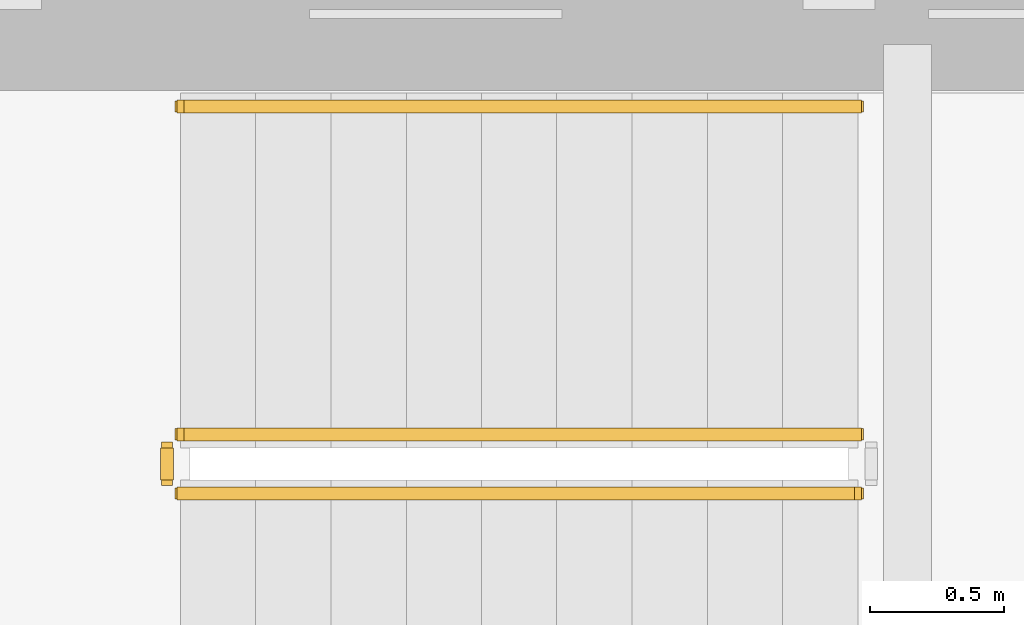
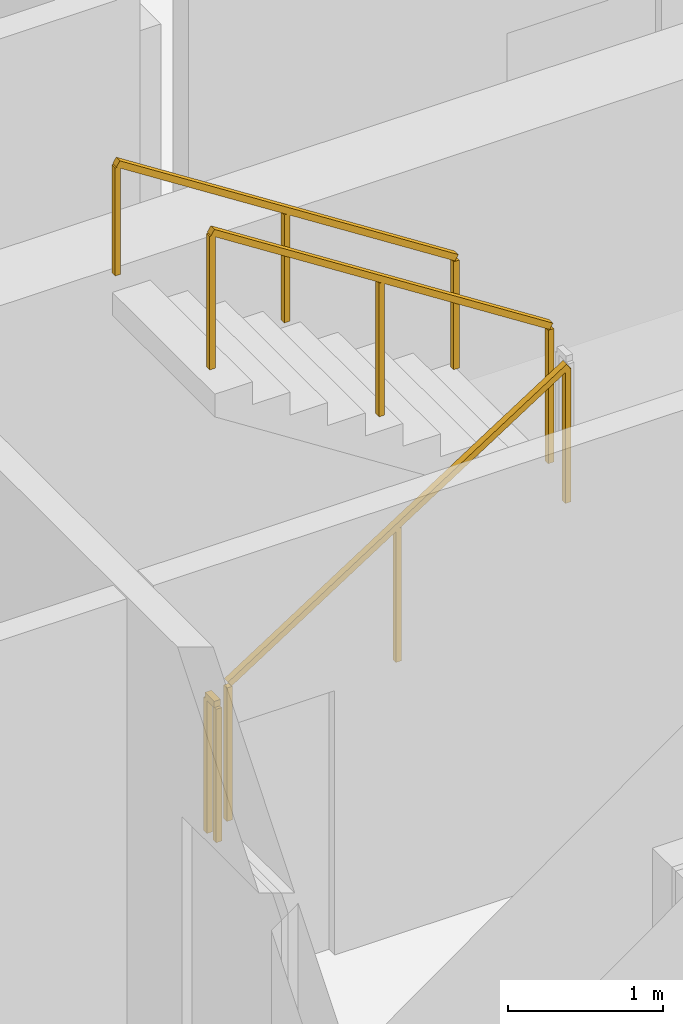
# One storey, part 14 of 16: 4 railings.
"""IFC4 building model written with IfcOpenShell, lengths in metres."""

from ifc_helpers import new_model, si_unit, direction, frame, origin, origin_2d, place, context, subcontext, project, spatial, rectangle, extrude, material, type_object, element, save


model = new_model("IFC4")

# Units and contexts
model_context = context("Model", 3, precision=1e-05, world=origin(), true_north=direction((0.0, 1.0)))
body_context = subcontext(model_context, "Body", "Model", "MODEL_VIEW")
ifc_project = project(units=[si_unit("LENGTHUNIT", "METRE"), si_unit("AREAUNIT", "SQUARE_METRE"), si_unit("VOLUMEUNIT", "CUBIC_METRE"), si_unit("PLANEANGLEUNIT", "RADIAN"), si_unit("MASSUNIT", "GRAM", prefix="KILO")], contexts=[model_context])

# Site, building, storey
site_placement = place(None, origin())
site = spatial("IfcSite", under=ifc_project, at=site_placement, CompositionType="ELEMENT")
building_placement = place(site_placement, origin())
building = spatial("IfcBuilding", under=site, at=building_placement, Name="Qhalaya Broadcast Tower", CompositionType="ELEMENT")
storey_placement = place(building_placement, frame((0.0, 0.0, 57.89990234375)))
storey = spatial("IfcBuildingStorey", under=building, at=storey_placement, Name="L16", CompositionType="ELEMENT", Elevation=57.89990234375)

# Railings
ifc_material = material(Name="Powder-Coated Galvanised Steel", Category="steel")
railing_type_1 = type_object("IfcRailingType", Name="Stair Wall Handrail 900", PredefinedType="HANDRAIL", material=ifc_material)
railing_1_placement = place(storey_placement, frame((6.27001953125, 9.590087890625, 1.97998046875)))
element("IfcRailing", 1, at=railing_1_placement, inside=storey, type_object=railing_type_1, Name="L16 ST-1 Stair Handrail 2", PredefinedType="HANDRAIL", context=body_context, shape_type="SweptSolid", body=[
    extrude(rectangle(XDim=0.048095703125, YDim=0.048095703125, at=origin_2d()), frame((0.0, 0.0, 0.8759765625), z_axis=(-0.841162588446, 0.0, 0.540782303519), x_axis=(0.0, -1.0, 0.0)), (0.0, 0.0, 1.0), 2.995849609375),
    extrude(rectangle(XDim=0.0419921875, YDim=0.0419921875, at=origin_2d()), origin(), (0.0, 0.0, 1.0), 0.849853515625),
    extrude(rectangle(XDim=0.0419921875, YDim=0.0419921875, at=origin_2d()), frame((-1.260009765625, 0.0, 0.81005859375)), (0.0, 0.0, 1.0), 0.849853515625),
    extrude(rectangle(XDim=0.0419921875, YDim=0.0419921875, at=origin_2d()), frame((-2.52001953125, 0.0, 1.6201171875)), (0.0, 0.0, 1.0), 0.849853515625),
])
railing_type_2 = type_object("IfcRailingType", Name="Stair Well & Landing Guardrail 1100", PredefinedType="GUARDRAIL", material=ifc_material)
railing_2_placement = place(storey_placement, frame((3.75, 8.14990234375, 0.18017578125)))
element("IfcRailing", 2, at=railing_2_placement, inside=storey, type_object=railing_type_2, Name="L16 ST-1 Stair Guard 1", PredefinedType="GUARDRAIL", context=body_context, shape_type="SweptSolid", body=[
    extrude(rectangle(XDim=0.048095703125, YDim=0.048095703125, at=origin_2d()), frame((0.0, 0.0, 1.076171875), z_axis=(0.841199657755, 0.0, 0.540724639528), x_axis=(0.0, 1.0, 0.0)), (0.0, 0.0, 1.0), 2.995849609375),
    extrude(rectangle(XDim=0.0419921875, YDim=0.0419921875, at=origin_2d()), origin(), (0.0, 0.0, 1.0), 1.050048828125),
    extrude(rectangle(XDim=0.0419921875, YDim=0.0419921875, at=origin_2d()), frame((1.260009765625, 0.0, 0.81005859375)), (0.0, 0.0, 1.0), 1.050048828125),
    extrude(rectangle(XDim=0.0419921875, YDim=0.0419921875, at=origin_2d()), frame((2.52001953125, 0.0, 1.619873046875)), (0.0, 0.0, 1.0), 1.050048828125),
])
railing_3_placement = place(storey_placement, frame((6.27001953125, 8.3701171875, 1.97998046875)))
element("IfcRailing", 3, at=railing_3_placement, inside=storey, type_object=railing_type_2, Name="L16 ST-1 Stair Guard 3", PredefinedType="GUARDRAIL", context=body_context, shape_type="SweptSolid", body=[
    extrude(rectangle(XDim=0.048095703125, YDim=0.048095703125, at=origin_2d()), frame((0.0, 0.0, 1.076171875), z_axis=(-0.841162588446, 0.0, 0.540782303519), x_axis=(0.0, -1.0, 0.0)), (0.0, 0.0, 1.0), 2.995849609375),
    extrude(rectangle(XDim=0.0419921875, YDim=0.0419921875, at=origin_2d()), origin(), (0.0, 0.0, 1.0), 1.050048828125),
    extrude(rectangle(XDim=0.0419921875, YDim=0.0419921875, at=origin_2d()), frame((-1.260009765625, 0.0, 0.81005859375)), (0.0, 0.0, 1.0), 1.050048828125),
    extrude(rectangle(XDim=0.0419921875, YDim=0.0419921875, at=origin_2d()), frame((-2.52001953125, 0.0, 1.6201171875)), (0.0, 0.0, 1.0), 1.050048828125),
])
railing_4_placement = place(storey_placement, frame((3.699951171875, 8.199951171875, 0.0)))
element("IfcRailing", 4, at=railing_4_placement, inside=storey, type_object=railing_type_2, Name="L16 ST-1 Stair Guard 4", PredefinedType="GUARDRAIL", context=body_context, shape_type="SweptSolid", body=[
    extrude(rectangle(XDim=0.048095703125, YDim=0.048095703125, at=origin_2d()), frame((0.0, 0.0, 1.076171875), z_axis=(0.0, 1.0, 0.0), x_axis=(-1.0, 0.0, 0.0)), (0.0, 0.0, 1.0), 0.1201171875),
    extrude(rectangle(XDim=0.0419921875, YDim=0.0419921875, at=origin_2d()), origin(), (0.0, 0.0, 1.0), 1.050048828125),
    extrude(rectangle(XDim=0.0419921875, YDim=0.0419921875, at=origin_2d()), frame((0.0, 0.1201171875, 0.0)), (0.0, 0.0, 1.0), 1.050048828125),
])

save(model, "model.ifc")
